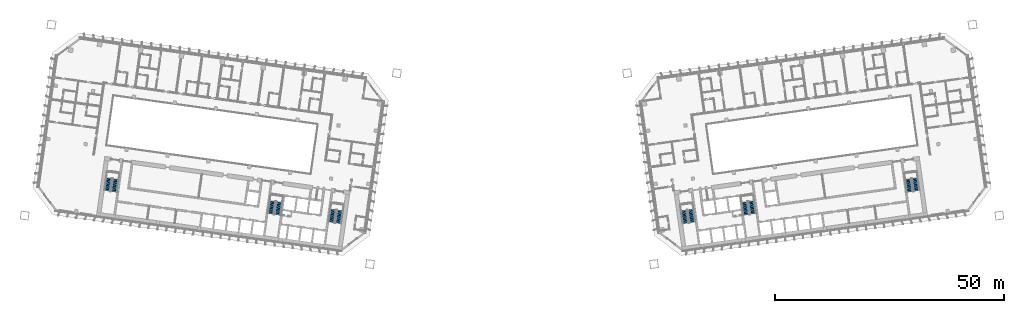
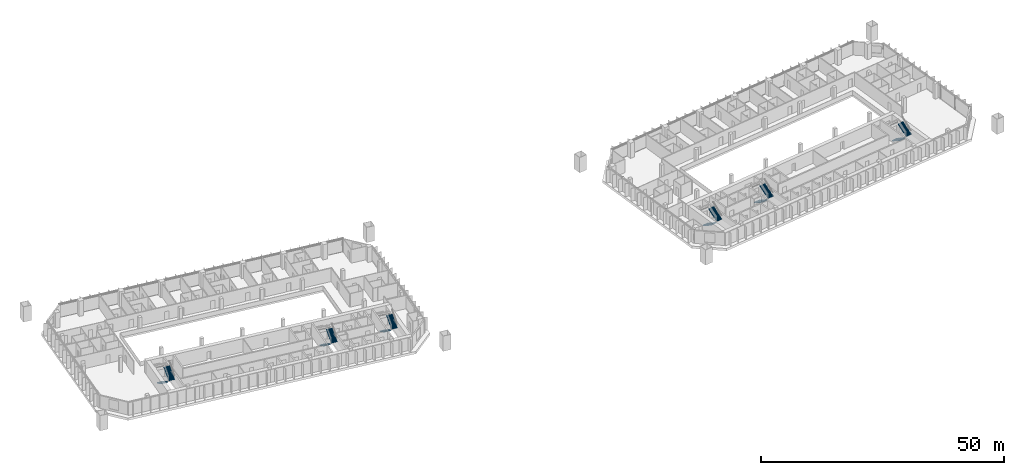
# One storey, part 23 of 25: 12 stair flights, 6 elements without a shape of their own.
"""IFC4 building model written with IfcOpenShell, lengths in metres."""

from ifc_helpers import new_model, si_unit, direction, frame, origin, place, context, subcontext, project, spatial, polyline, outline, extrude, material, type_object, element, aggregate, save


model = new_model("IFC4")

# Units and contexts
model_context = context("Model", 3, precision=1e-05, world=origin(), true_north=direction((0.0, 1.0)))
body_context = subcontext(model_context, "Body", "Model", "MODEL_VIEW")
ifc_project = project(units=[si_unit("LENGTHUNIT", "METRE"), si_unit("AREAUNIT", "SQUARE_METRE"), si_unit("VOLUMEUNIT", "CUBIC_METRE"), si_unit("PLANEANGLEUNIT", "RADIAN"), si_unit("MASSUNIT", "GRAM", prefix="KILO")], contexts=[model_context])

# Site, building, storey
site_placement = place(None, origin())
site = spatial("IfcSite", under=ifc_project, at=site_placement, CompositionType="ELEMENT")
building_placement = place(site_placement, origin())
building = spatial("IfcBuilding", under=site, at=building_placement, Name="Mirante Cascada Hotel Towers", CompositionType="ELEMENT")
storey_placement = place(building_placement, frame((0.0, 0.0, 54.7)))
storey = spatial("IfcBuildingStorey", under=building, at=storey_placement, Name="L10", CompositionType="ELEMENT", Elevation=54.7)

# Stair, stair flights
ifc_material_1 = material(Name="Concrete C35/45", Category="concrete")
stair_type = type_object("IfcStairType", Name="Exit stair half-turn 1350 concrete C35/45", PredefinedType="HALF_TURN_STAIR", material=ifc_material_1)
stair_1_placement = place(storey_placement, origin())
stair_1 = element("IfcStair", 1, at=stair_1_placement, inside=storey, type_object=stair_type, Name="L10 Exit stair A", PredefinedType="HALF_TURN_STAIR")
ifc_material_2 = material(Name="Concrete C35/45", Category="concrete")
stair_flight_type = type_object("IfcStairFlightType", Name="Exit stair flight 1350 concrete C35/45", PredefinedType="STRAIGHT", material=ifc_material_2)
stair_flight_1_placement = place(storey_placement, frame((-38.9417, -11.195, 0.0), z_axis=(0.0, 0.0, 1.0), x_axis=(-0.1391731, -0.9902681, 0.0)))
stair_flight_1 = element("IfcStairFlight", 2, at=stair_flight_1_placement, type_object=stair_flight_type, Name="ST1-A flight 1", NumberOfRisers=11, NumberOfTreads=10, PredefinedType="STRAIGHT", RiserHeight=0.172727273, TreadLength=0.28, context=body_context, shape_type="SweptSolid", body=[
    extrude(outline(polyline([(0.0, 0.0), (0.0, 0.1727), (0.28, 0.1727), (0.28, 0.3455), (0.56, 0.3455), (0.56, 0.5182), (0.84, 0.5182), (0.84, 0.6909), (1.12, 0.6909), (1.12, 0.8636), (1.4, 0.8636), (1.4, 1.0364), (1.68, 1.0364), (1.68, 1.2091), (1.96, 1.2091), (1.96, 1.3818), (2.24, 1.3818), (2.24, 1.5545), (2.52, 1.5545), (2.52, 1.7273), (2.8, 1.7273), (2.8, 1.9), (2.8, 1.551), (0.2857, 0.0), (0.0, 0.0)])), frame((0.0, 0.675, 0.0), z_axis=(0.0, -1.0, 0.0), x_axis=(1.0, 0.0, 0.0)), (0.0, 0.0, 1.0), 1.35),
])
stair_flight_2_placement = place(storey_placement, frame((-37.846, -14.1765, 1.9), z_axis=(0.0, 0.0, 1.0), x_axis=(0.1391731, 0.9902681, 0.0)))
stair_flight_2 = element("IfcStairFlight", 3, at=stair_flight_2_placement, type_object=stair_flight_type, Name="ST1-A flight 2", NumberOfRisers=11, NumberOfTreads=10, PredefinedType="STRAIGHT", RiserHeight=0.172727273, TreadLength=0.28, context=body_context, shape_type="SweptSolid", body=[
    extrude(outline(polyline([(0.0, 0.0), (0.0, 0.1727), (0.28, 0.1727), (0.28, 0.3455), (0.56, 0.3455), (0.56, 0.5182), (0.84, 0.5182), (0.84, 0.6909), (1.12, 0.6909), (1.12, 0.8636), (1.4, 0.8636), (1.4, 1.0364), (1.68, 1.0364), (1.68, 1.2091), (1.96, 1.2091), (1.96, 1.3818), (2.24, 1.3818), (2.24, 1.5545), (2.52, 1.5545), (2.52, 1.7273), (2.8, 1.7273), (2.8, 1.9), (2.8, 1.551), (0.2857, 0.0), (0.0, 0.0)])), frame((0.0, 0.675, 0.0), z_axis=(0.0, -1.0, 0.0), x_axis=(1.0, 0.0, 0.0)), (0.0, 0.0, 1.0), 1.35),
])
aggregate(stair_1, [stair_flight_1, stair_flight_2])

stair_2_placement = place(storey_placement, origin())
stair_2 = element("IfcStair", 4, at=stair_2_placement, inside=storey, type_object=stair_type, Name="L10 Exit stair B", PredefinedType="HALF_TURN_STAIR")
stair_flight_3_placement = place(storey_placement, frame((-52.1618, -9.3371, 0.0), z_axis=(0.0, 0.0, 1.0), x_axis=(-0.1391731, -0.9902681, 0.0)))
stair_flight_3 = element("IfcStairFlight", 5, at=stair_flight_3_placement, type_object=stair_flight_type, Name="ST1-B flight 1", NumberOfRisers=11, NumberOfTreads=10, PredefinedType="STRAIGHT", RiserHeight=0.172727273, TreadLength=0.28, context=body_context, shape_type="SweptSolid", body=[
    extrude(outline(polyline([(0.0, 0.0), (0.0, 0.1727), (0.28, 0.1727), (0.28, 0.3455), (0.56, 0.3455), (0.56, 0.5182), (0.84, 0.5182), (0.84, 0.6909), (1.12, 0.6909), (1.12, 0.8636), (1.4, 0.8636), (1.4, 1.0364), (1.68, 1.0364), (1.68, 1.2091), (1.96, 1.2091), (1.96, 1.3818), (2.24, 1.3818), (2.24, 1.5545), (2.52, 1.5545), (2.52, 1.7273), (2.8, 1.7273), (2.8, 1.9), (2.8, 1.551), (0.2857, 0.0), (0.0, 0.0)])), frame((0.0, 0.675, 0.0), z_axis=(0.0, -1.0, 0.0), x_axis=(1.0, 0.0, 0.0)), (0.0, 0.0, 1.0), 1.35),
])
stair_flight_4_placement = place(storey_placement, frame((-51.0661, -12.3186, 1.9), z_axis=(0.0, 0.0, 1.0), x_axis=(0.1391731, 0.9902681, 0.0)))
stair_flight_4 = element("IfcStairFlight", 6, at=stair_flight_4_placement, type_object=stair_flight_type, Name="ST1-B flight 2", NumberOfRisers=11, NumberOfTreads=10, PredefinedType="STRAIGHT", RiserHeight=0.172727273, TreadLength=0.28, context=body_context, shape_type="SweptSolid", body=[
    extrude(outline(polyline([(0.0, 0.0), (0.0, 0.1727), (0.28, 0.1727), (0.28, 0.3455), (0.56, 0.3455), (0.56, 0.5182), (0.84, 0.5182), (0.84, 0.6909), (1.12, 0.6909), (1.12, 0.8636), (1.4, 0.8636), (1.4, 1.0364), (1.68, 1.0364), (1.68, 1.2091), (1.96, 1.2091), (1.96, 1.3818), (2.24, 1.3818), (2.24, 1.5545), (2.52, 1.5545), (2.52, 1.7273), (2.8, 1.7273), (2.8, 1.9), (2.8, 1.551), (0.2857, 0.0), (0.0, 0.0)])), frame((0.0, 0.675, 0.0), z_axis=(0.0, -1.0, 0.0), x_axis=(1.0, 0.0, 0.0)), (0.0, 0.0, 1.0), 1.35),
])
aggregate(stair_2, [stair_flight_3, stair_flight_4])

stair_3_placement = place(storey_placement, origin())
stair_3 = element("IfcStair", 7, at=stair_3_placement, inside=storey, type_object=stair_type, Name="L10 Exit stair C", PredefinedType="HALF_TURN_STAIR")
stair_flight_5_placement = place(storey_placement, frame((-87.8115, -4.3268, 0.0), z_axis=(0.0, 0.0, 1.0), x_axis=(-0.1391731, -0.9902681, 0.0)))
stair_flight_5 = element("IfcStairFlight", 8, at=stair_flight_5_placement, type_object=stair_flight_type, Name="ST1-C flight 1", NumberOfRisers=11, NumberOfTreads=10, PredefinedType="STRAIGHT", RiserHeight=0.172727273, TreadLength=0.28, context=body_context, shape_type="SweptSolid", body=[
    extrude(outline(polyline([(0.0, 0.0), (0.0, 0.1727), (0.28, 0.1727), (0.28, 0.3455), (0.56, 0.3455), (0.56, 0.5182), (0.84, 0.5182), (0.84, 0.6909), (1.12, 0.6909), (1.12, 0.8636), (1.4, 0.8636), (1.4, 1.0364), (1.68, 1.0364), (1.68, 1.2091), (1.96, 1.2091), (1.96, 1.3818), (2.24, 1.3818), (2.24, 1.5545), (2.52, 1.5545), (2.52, 1.7273), (2.8, 1.7273), (2.8, 1.9), (2.8, 1.551), (0.2857, 0.0), (0.0, 0.0)])), frame((0.0, 0.675, 0.0), z_axis=(0.0, -1.0, 0.0), x_axis=(1.0, 0.0, 0.0)), (0.0, 0.0, 1.0), 1.35),
])
stair_flight_6_placement = place(storey_placement, frame((-86.7157, -7.3084, 1.9), z_axis=(0.0, 0.0, 1.0), x_axis=(0.1391731, 0.9902681, 0.0)))
stair_flight_6 = element("IfcStairFlight", 9, at=stair_flight_6_placement, type_object=stair_flight_type, Name="ST1-C flight 2", NumberOfRisers=11, NumberOfTreads=10, PredefinedType="STRAIGHT", RiserHeight=0.172727273, TreadLength=0.28, context=body_context, shape_type="SweptSolid", body=[
    extrude(outline(polyline([(0.0, 0.0), (0.0, 0.1727), (0.28, 0.1727), (0.28, 0.3455), (0.56, 0.3455), (0.56, 0.5182), (0.84, 0.5182), (0.84, 0.6909), (1.12, 0.6909), (1.12, 0.8636), (1.4, 0.8636), (1.4, 1.0364), (1.68, 1.0364), (1.68, 1.2091), (1.96, 1.2091), (1.96, 1.3818), (2.24, 1.3818), (2.24, 1.5545), (2.52, 1.5545), (2.52, 1.7273), (2.8, 1.7273), (2.8, 1.9), (2.8, 1.551), (0.2857, 0.0), (0.0, 0.0)])), frame((0.0, 0.675, 0.0), z_axis=(0.0, -1.0, 0.0), x_axis=(1.0, 0.0, 0.0)), (0.0, 0.0, 1.0), 1.35),
])
aggregate(stair_3, [stair_flight_5, stair_flight_6])

stair_4_placement = place(storey_placement, origin())
stair_4 = element("IfcStair", 10, at=stair_4_placement, inside=storey, type_object=stair_type, Name="L10 Exit stair A", PredefinedType="HALF_TURN_STAIR")
stair_flight_7_placement = place(storey_placement, frame((37.4563, -11.4038, 0.0), z_axis=(0.0, 0.0, 1.0), x_axis=(0.1391731, -0.9902681, 0.0)))
stair_flight_7 = element("IfcStairFlight", 11, at=stair_flight_7_placement, type_object=stair_flight_type, Name="ST2-A flight 1", NumberOfRisers=11, NumberOfTreads=10, PredefinedType="STRAIGHT", RiserHeight=0.172727273, TreadLength=0.28, context=body_context, shape_type="SweptSolid", body=[
    extrude(outline(polyline([(0.0, 0.0), (0.0, 0.1727), (0.28, 0.1727), (0.28, 0.3455), (0.56, 0.3455), (0.56, 0.5182), (0.84, 0.5182), (0.84, 0.6909), (1.12, 0.6909), (1.12, 0.8636), (1.4, 0.8636), (1.4, 1.0364), (1.68, 1.0364), (1.68, 1.2091), (1.96, 1.2091), (1.96, 1.3818), (2.24, 1.3818), (2.24, 1.5545), (2.52, 1.5545), (2.52, 1.7273), (2.8, 1.7273), (2.8, 1.9), (2.8, 1.551), (0.2857, 0.0), (0.0, 0.0)])), frame((0.0, 0.675, 0.0), z_axis=(0.0, -1.0, 0.0), x_axis=(1.0, 0.0, 0.0)), (0.0, 0.0, 1.0), 1.35),
])
stair_flight_8_placement = place(storey_placement, frame((39.3314, -13.9678, 1.9), z_axis=(0.0, 0.0, 1.0), x_axis=(-0.1391731, 0.9902681, 0.0)))
stair_flight_8 = element("IfcStairFlight", 12, at=stair_flight_8_placement, type_object=stair_flight_type, Name="ST2-A flight 2", NumberOfRisers=11, NumberOfTreads=10, PredefinedType="STRAIGHT", RiserHeight=0.172727273, TreadLength=0.28, context=body_context, shape_type="SweptSolid", body=[
    extrude(outline(polyline([(0.0, 0.0), (0.0, 0.1727), (0.28, 0.1727), (0.28, 0.3455), (0.56, 0.3455), (0.56, 0.5182), (0.84, 0.5182), (0.84, 0.6909), (1.12, 0.6909), (1.12, 0.8636), (1.4, 0.8636), (1.4, 1.0364), (1.68, 1.0364), (1.68, 1.2091), (1.96, 1.2091), (1.96, 1.3818), (2.24, 1.3818), (2.24, 1.5545), (2.52, 1.5545), (2.52, 1.7273), (2.8, 1.7273), (2.8, 1.9), (2.8, 1.551), (0.2857, 0.0), (0.0, 0.0)])), frame((0.0, 0.675, 0.0), z_axis=(0.0, -1.0, 0.0), x_axis=(1.0, 0.0, 0.0)), (0.0, 0.0, 1.0), 1.35),
])
aggregate(stair_4, [stair_flight_7, stair_flight_8])

stair_5_placement = place(storey_placement, origin())
stair_5 = element("IfcStair", 13, at=stair_5_placement, inside=storey, type_object=stair_type, Name="L10 Exit stair B", PredefinedType="HALF_TURN_STAIR")
stair_flight_9_placement = place(storey_placement, frame((50.6764, -9.5458, 0.0), z_axis=(0.0, 0.0, 1.0), x_axis=(0.1391731, -0.9902681, 0.0)))
stair_flight_9 = element("IfcStairFlight", 14, at=stair_flight_9_placement, type_object=stair_flight_type, Name="ST2-B flight 1", NumberOfRisers=11, NumberOfTreads=10, PredefinedType="STRAIGHT", RiserHeight=0.172727273, TreadLength=0.28, context=body_context, shape_type="SweptSolid", body=[
    extrude(outline(polyline([(0.0, 0.0), (0.0, 0.1727), (0.28, 0.1727), (0.28, 0.3455), (0.56, 0.3455), (0.56, 0.5182), (0.84, 0.5182), (0.84, 0.6909), (1.12, 0.6909), (1.12, 0.8636), (1.4, 0.8636), (1.4, 1.0364), (1.68, 1.0364), (1.68, 1.2091), (1.96, 1.2091), (1.96, 1.3818), (2.24, 1.3818), (2.24, 1.5545), (2.52, 1.5545), (2.52, 1.7273), (2.8, 1.7273), (2.8, 1.9), (2.8, 1.551), (0.2857, 0.0), (0.0, 0.0)])), frame((0.0, 0.675, 0.0), z_axis=(0.0, -1.0, 0.0), x_axis=(1.0, 0.0, 0.0)), (0.0, 0.0, 1.0), 1.35),
])
stair_flight_10_placement = place(storey_placement, frame((52.5515, -12.1098, 1.9), z_axis=(0.0, 0.0, 1.0), x_axis=(-0.1391731, 0.9902681, 0.0)))
stair_flight_10 = element("IfcStairFlight", 15, at=stair_flight_10_placement, type_object=stair_flight_type, Name="ST2-B flight 2", NumberOfRisers=11, NumberOfTreads=10, PredefinedType="STRAIGHT", RiserHeight=0.172727273, TreadLength=0.28, context=body_context, shape_type="SweptSolid", body=[
    extrude(outline(polyline([(0.0, 0.0), (0.0, 0.1727), (0.28, 0.1727), (0.28, 0.3455), (0.56, 0.3455), (0.56, 0.5182), (0.84, 0.5182), (0.84, 0.6909), (1.12, 0.6909), (1.12, 0.8636), (1.4, 0.8636), (1.4, 1.0364), (1.68, 1.0364), (1.68, 1.2091), (1.96, 1.2091), (1.96, 1.3818), (2.24, 1.3818), (2.24, 1.5545), (2.52, 1.5545), (2.52, 1.7273), (2.8, 1.7273), (2.8, 1.9), (2.8, 1.551), (0.2857, 0.0), (0.0, 0.0)])), frame((0.0, 0.675, 0.0), z_axis=(0.0, -1.0, 0.0), x_axis=(1.0, 0.0, 0.0)), (0.0, 0.0, 1.0), 1.35),
])
aggregate(stair_5, [stair_flight_9, stair_flight_10])

stair_6_placement = place(storey_placement, origin())
stair_6 = element("IfcStair", 16, at=stair_6_placement, inside=storey, type_object=stair_type, Name="L10 Exit stair C", PredefinedType="HALF_TURN_STAIR")
stair_flight_11_placement = place(storey_placement, frame((86.326, -4.5356, 0.0), z_axis=(0.0, 0.0, 1.0), x_axis=(0.1391731, -0.9902681, 0.0)))
stair_flight_11 = element("IfcStairFlight", 17, at=stair_flight_11_placement, type_object=stair_flight_type, Name="ST2-C flight 1", NumberOfRisers=11, NumberOfTreads=10, PredefinedType="STRAIGHT", RiserHeight=0.172727273, TreadLength=0.28, context=body_context, shape_type="SweptSolid", body=[
    extrude(outline(polyline([(0.0, 0.0), (0.0, 0.1727), (0.28, 0.1727), (0.28, 0.3455), (0.56, 0.3455), (0.56, 0.5182), (0.84, 0.5182), (0.84, 0.6909), (1.12, 0.6909), (1.12, 0.8636), (1.4, 0.8636), (1.4, 1.0364), (1.68, 1.0364), (1.68, 1.2091), (1.96, 1.2091), (1.96, 1.3818), (2.24, 1.3818), (2.24, 1.5545), (2.52, 1.5545), (2.52, 1.7273), (2.8, 1.7273), (2.8, 1.9), (2.8, 1.551), (0.2857, 0.0), (0.0, 0.0)])), frame((0.0, 0.675, 0.0), z_axis=(0.0, -1.0, 0.0), x_axis=(1.0, 0.0, 0.0)), (0.0, 0.0, 1.0), 1.35),
])
stair_flight_12_placement = place(storey_placement, frame((88.2011, -7.0996, 1.9), z_axis=(0.0, 0.0, 1.0), x_axis=(-0.1391731, 0.9902681, 0.0)))
stair_flight_12 = element("IfcStairFlight", 18, at=stair_flight_12_placement, type_object=stair_flight_type, Name="ST2-C flight 2", NumberOfRisers=11, NumberOfTreads=10, PredefinedType="STRAIGHT", RiserHeight=0.172727273, TreadLength=0.28, context=body_context, shape_type="SweptSolid", body=[
    extrude(outline(polyline([(0.0, 0.0), (0.0, 0.1727), (0.28, 0.1727), (0.28, 0.3455), (0.56, 0.3455), (0.56, 0.5182), (0.84, 0.5182), (0.84, 0.6909), (1.12, 0.6909), (1.12, 0.8636), (1.4, 0.8636), (1.4, 1.0364), (1.68, 1.0364), (1.68, 1.2091), (1.96, 1.2091), (1.96, 1.3818), (2.24, 1.3818), (2.24, 1.5545), (2.52, 1.5545), (2.52, 1.7273), (2.8, 1.7273), (2.8, 1.9), (2.8, 1.551), (0.2857, 0.0), (0.0, 0.0)])), frame((0.0, 0.675, 0.0), z_axis=(0.0, -1.0, 0.0), x_axis=(1.0, 0.0, 0.0)), (0.0, 0.0, 1.0), 1.35),
])
aggregate(stair_6, [stair_flight_11, stair_flight_12])

save(model, "model.ifc")
